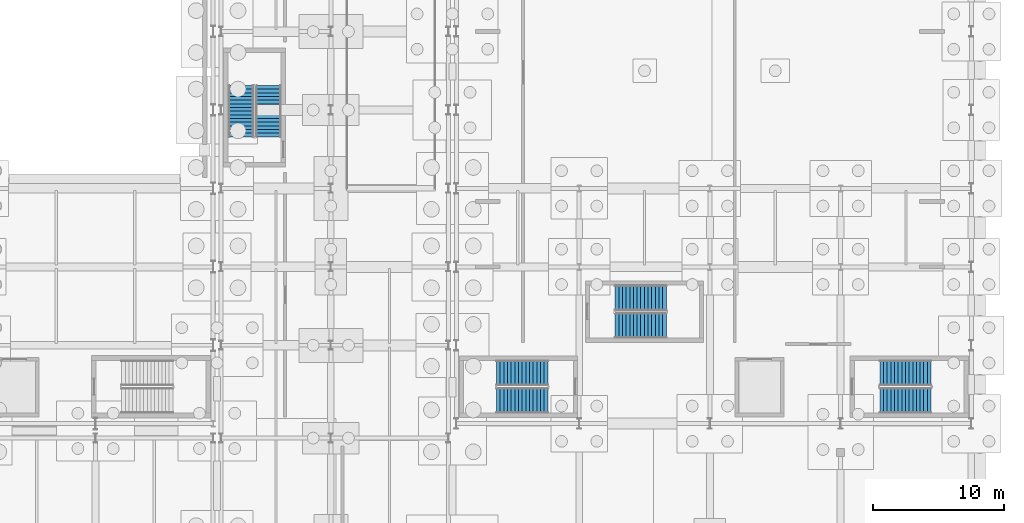
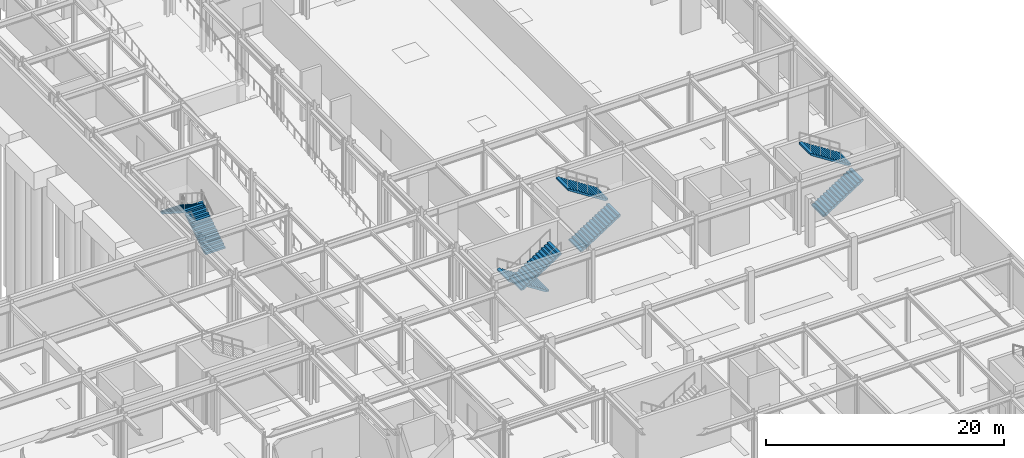
# One storey, part 51 of 65: 8 stair flights, 4 elements without a shape of their own.
"""IFC4 building model written with IfcOpenShell, lengths in metres."""

from ifc_helpers import new_model, si_unit, direction, frame, origin, place, context, subcontext, project, spatial, polyline, outline, extrude, material, type_object, element, aggregate, save


model = new_model("IFC4")

# Units and contexts
model_context = context("Model", 3, precision=1e-05, world=origin(), true_north=direction((0.0, 1.0)))
body_context = subcontext(model_context, "Body", "Model", "MODEL_VIEW")
ifc_project = project(units=[si_unit("LENGTHUNIT", "METRE"), si_unit("AREAUNIT", "SQUARE_METRE"), si_unit("VOLUMEUNIT", "CUBIC_METRE"), si_unit("PLANEANGLEUNIT", "RADIAN"), si_unit("MASSUNIT", "GRAM", prefix="KILO")], contexts=[model_context])

# Site, building, storey
site_placement = place(None, origin())
site = spatial("IfcSite", under=ifc_project, at=site_placement, CompositionType="ELEMENT")
building_placement = place(site_placement, origin())
building = spatial("IfcBuilding", under=site, at=building_placement, Name="Kaldris Quays Convention Centre", CompositionType="ELEMENT")
storey_placement = place(building_placement, frame((0.0, 0.0, -5.39990234375)))
storey = spatial("IfcBuildingStorey", under=building, at=storey_placement, Name="B1", CompositionType="ELEMENT", Elevation=-5.39990234375)

# Stair, stair flights
ifc_material = material(Name="Concrete C35/45", Category="concrete")
stair_type = type_object("IfcStairType", Name="DOGLEG ESCAPE STAIR STF1", PredefinedType="TWO_STRAIGHT_RUN_STAIR", material=ifc_material)
stair_1_placement = place(storey_placement, origin())
stair_1 = element("IfcStair", 1, at=stair_1_placement, inside=storey, type_object=stair_type, Name="B1 Escape Stair ST08", PredefinedType="TWO_STRAIGHT_RUN_STAIR")
stair_flight_type = type_object("IfcStairFlightType", Name="STAIR FLIGHT SF01", PredefinedType="STRAIGHT", material=ifc_material)
stair_flight_1_placement = place(storey_placement, frame((171.60009765625, 59.875, 0.0), z_axis=(0.0, 0.0, 1.0), x_axis=(-1.0, 0.0, 0.0)))
stair_flight_1 = element("IfcStairFlight", 2, at=stair_flight_1_placement, type_object=stair_flight_type, Name="STF1 flight 1", NumberOfRisers=15, NumberOfTreads=14, PredefinedType="STRAIGHT", RiserHeight=0.18, TreadLength=0.28, context=body_context, shape_type="SweptSolid", body=[
    extrude(outline(polyline([(0.0, 0.0), (0.0, 0.179931640625), (0.280029296875, 0.179931640625), (0.280029296875, 0.360107421875), (0.56005859375, 0.360107421875), (0.56005859375, 0.5400390625), (0.840087890625, 0.5400390625), (0.840087890625, 0.719970703125), (1.1201171875, 0.719970703125), (1.1201171875, 0.89990234375), (1.39990234375, 0.89990234375), (1.39990234375, 1.080078125), (1.679931640625, 1.080078125), (1.679931640625, 1.260009765625), (1.9599609375, 1.260009765625), (1.9599609375, 1.43994140625), (2.239990234375, 1.43994140625), (2.239990234375, 1.6201171875), (2.52001953125, 1.6201171875), (2.52001953125, 1.800048828125), (2.800048828125, 1.800048828125), (2.800048828125, 1.97998046875), (3.080078125, 1.97998046875), (3.080078125, 2.159912109375), (3.360107421875, 2.159912109375), (3.360107421875, 2.340087890625), (3.639892578125, 2.340087890625), (3.639892578125, 2.52001953125), (3.919921875, 2.52001953125), (3.919921875, 2.699951171875), (3.919921875, 2.341796875), (0.277099609375, 0.0), (0.0, 0.0)])), frame((0.0, 0.97509765625, 0.0), z_axis=(0.0, -1.0, 0.0), x_axis=(1.0, 0.0, 0.0)), (0.0, 0.0, 1.0), 1.949951171875),
])
stair_flight_2_placement = place(storey_placement, frame((167.679931640625, 57.77490234375, 2.699951171875), z_axis=(0.0, 0.0, 1.0), x_axis=(1.0, 0.0, 0.0)))
stair_flight_2 = element("IfcStairFlight", 3, at=stair_flight_2_placement, type_object=stair_flight_type, Name="STF1 flight 2", NumberOfRisers=15, NumberOfTreads=14, PredefinedType="STRAIGHT", RiserHeight=0.18, TreadLength=0.28, context=body_context, shape_type="SweptSolid", body=[
    extrude(outline(polyline([(0.0, 0.0), (0.0, 0.179931640625), (0.280029296875, 0.179931640625), (0.280029296875, 0.360107421875), (0.56005859375, 0.360107421875), (0.56005859375, 0.5400390625), (0.840087890625, 0.5400390625), (0.840087890625, 0.719970703125), (1.1201171875, 0.719970703125), (1.1201171875, 0.89990234375), (1.39990234375, 0.89990234375), (1.39990234375, 1.080078125), (1.679931640625, 1.080078125), (1.679931640625, 1.260009765625), (1.9599609375, 1.260009765625), (1.9599609375, 1.43994140625), (2.239990234375, 1.43994140625), (2.239990234375, 1.6201171875), (2.52001953125, 1.6201171875), (2.52001953125, 1.800048828125), (2.800048828125, 1.800048828125), (2.800048828125, 1.97998046875), (3.080078125, 1.97998046875), (3.080078125, 2.159912109375), (3.360107421875, 2.159912109375), (3.360107421875, 2.340087890625), (3.639892578125, 2.340087890625), (3.639892578125, 2.52001953125), (3.919921875, 2.52001953125), (3.919921875, 2.699951171875), (3.919921875, 2.341796875), (0.277099609375, 0.0), (0.0, 0.0)])), frame((0.0, 0.97509765625, 0.0), z_axis=(0.0, -1.0, 0.0), x_axis=(1.0, 0.0, 0.0)), (0.0, 0.0, 1.0), 1.949951171875),
])
aggregate(stair_1, [stair_flight_1, stair_flight_2])

stair_2_placement = place(storey_placement, origin())
stair_2 = element("IfcStair", 4, at=stair_2_placement, inside=storey, type_object=stair_type, Name="B1 Escape Stair ST09", PredefinedType="TWO_STRAIGHT_RUN_STAIR")
stair_flight_3_placement = place(storey_placement, frame((197.0, 57.77490234375, 0.0), z_axis=(0.0, 0.0, 1.0), x_axis=(1.0, 0.0, 0.0)))
stair_flight_3 = element("IfcStairFlight", 5, at=stair_flight_3_placement, type_object=stair_flight_type, Name="STF1 flight 1", NumberOfRisers=15, NumberOfTreads=14, PredefinedType="STRAIGHT", RiserHeight=0.18, TreadLength=0.28, context=body_context, shape_type="SweptSolid", body=[
    extrude(outline(polyline([(0.0, 0.0), (0.0, 0.179931640625), (0.280029296875, 0.179931640625), (0.280029296875, 0.360107421875), (0.56005859375, 0.360107421875), (0.56005859375, 0.5400390625), (0.840087890625, 0.5400390625), (0.840087890625, 0.719970703125), (1.1201171875, 0.719970703125), (1.1201171875, 0.89990234375), (1.39990234375, 0.89990234375), (1.39990234375, 1.080078125), (1.679931640625, 1.080078125), (1.679931640625, 1.260009765625), (1.9599609375, 1.260009765625), (1.9599609375, 1.43994140625), (2.239990234375, 1.43994140625), (2.239990234375, 1.6201171875), (2.52001953125, 1.6201171875), (2.52001953125, 1.800048828125), (2.800048828125, 1.800048828125), (2.800048828125, 1.97998046875), (3.080078125, 1.97998046875), (3.080078125, 2.159912109375), (3.360107421875, 2.159912109375), (3.360107421875, 2.340087890625), (3.639892578125, 2.340087890625), (3.639892578125, 2.52001953125), (3.919921875, 2.52001953125), (3.919921875, 2.699951171875), (3.919921875, 2.341796875), (0.277099609375, 0.0), (0.0, 0.0)])), frame((0.0, 0.97509765625, 0.0), z_axis=(0.0, -1.0, 0.0), x_axis=(1.0, 0.0, 0.0)), (0.0, 0.0, 1.0), 1.949951171875),
])
stair_flight_4_placement = place(storey_placement, frame((200.919921875, 59.875, 2.699951171875), z_axis=(0.0, 0.0, 1.0), x_axis=(-1.0, 0.0, 0.0)))
stair_flight_4 = element("IfcStairFlight", 6, at=stair_flight_4_placement, type_object=stair_flight_type, Name="STF1 flight 2", NumberOfRisers=15, NumberOfTreads=14, PredefinedType="STRAIGHT", RiserHeight=0.18, TreadLength=0.28, context=body_context, shape_type="SweptSolid", body=[
    extrude(outline(polyline([(0.0, 0.0), (0.0, 0.179931640625), (0.280029296875, 0.179931640625), (0.280029296875, 0.360107421875), (0.56005859375, 0.360107421875), (0.56005859375, 0.5400390625), (0.840087890625, 0.5400390625), (0.840087890625, 0.719970703125), (1.1201171875, 0.719970703125), (1.1201171875, 0.89990234375), (1.39990234375, 0.89990234375), (1.39990234375, 1.080078125), (1.679931640625, 1.080078125), (1.679931640625, 1.260009765625), (1.9599609375, 1.260009765625), (1.9599609375, 1.43994140625), (2.239990234375, 1.43994140625), (2.239990234375, 1.6201171875), (2.52001953125, 1.6201171875), (2.52001953125, 1.800048828125), (2.800048828125, 1.800048828125), (2.800048828125, 1.97998046875), (3.080078125, 1.97998046875), (3.080078125, 2.159912109375), (3.360107421875, 2.159912109375), (3.360107421875, 2.340087890625), (3.639892578125, 2.340087890625), (3.639892578125, 2.52001953125), (3.919921875, 2.52001953125), (3.919921875, 2.699951171875), (3.919921875, 2.341796875), (0.277099609375, 0.0), (0.0, 0.0)])), frame((0.0, 0.97509765625, 0.0), z_axis=(0.0, -1.0, 0.0), x_axis=(1.0, 0.0, 0.0)), (0.0, 0.0, 1.0), 1.949951171875),
])
aggregate(stair_2, [stair_flight_3, stair_flight_4])

stair_3_placement = place(storey_placement, origin())
stair_3 = element("IfcStair", 7, at=stair_3_placement, inside=storey, type_object=stair_type, Name="B1 Escape Stair ST10", PredefinedType="TWO_STRAIGHT_RUN_STAIR")
stair_flight_5_placement = place(storey_placement, frame((176.75, 63.52490234375, 0.0), z_axis=(0.0, 0.0, 1.0), x_axis=(1.0, 0.0, 0.0)))
stair_flight_5 = element("IfcStairFlight", 8, at=stair_flight_5_placement, type_object=stair_flight_type, Name="STF1 flight 1", NumberOfRisers=15, NumberOfTreads=14, PredefinedType="STRAIGHT", RiserHeight=0.18, TreadLength=0.28, context=body_context, shape_type="SweptSolid", body=[
    extrude(outline(polyline([(0.0, 0.0), (0.0, 0.179931640625), (0.280029296875, 0.179931640625), (0.280029296875, 0.360107421875), (0.56005859375, 0.360107421875), (0.56005859375, 0.5400390625), (0.840087890625, 0.5400390625), (0.840087890625, 0.719970703125), (1.1201171875, 0.719970703125), (1.1201171875, 0.89990234375), (1.39990234375, 0.89990234375), (1.39990234375, 1.080078125), (1.679931640625, 1.080078125), (1.679931640625, 1.260009765625), (1.9599609375, 1.260009765625), (1.9599609375, 1.43994140625), (2.239990234375, 1.43994140625), (2.239990234375, 1.6201171875), (2.52001953125, 1.6201171875), (2.52001953125, 1.800048828125), (2.800048828125, 1.800048828125), (2.800048828125, 1.97998046875), (3.080078125, 1.97998046875), (3.080078125, 2.159912109375), (3.360107421875, 2.159912109375), (3.360107421875, 2.340087890625), (3.639892578125, 2.340087890625), (3.639892578125, 2.52001953125), (3.919921875, 2.52001953125), (3.919921875, 2.699951171875), (3.919921875, 2.341796875), (0.277099609375, 0.0), (0.0, 0.0)])), frame((0.0, 0.97509765625, 0.0), z_axis=(0.0, -1.0, 0.0), x_axis=(1.0, 0.0, 0.0)), (0.0, 0.0, 1.0), 1.949951171875),
])
stair_flight_6_placement = place(storey_placement, frame((180.669921875, 65.625, 2.699951171875), z_axis=(0.0, 0.0, 1.0), x_axis=(-1.0, 0.0, 0.0)))
stair_flight_6 = element("IfcStairFlight", 9, at=stair_flight_6_placement, type_object=stair_flight_type, Name="STF1 flight 2", NumberOfRisers=15, NumberOfTreads=14, PredefinedType="STRAIGHT", RiserHeight=0.18, TreadLength=0.28, context=body_context, shape_type="SweptSolid", body=[
    extrude(outline(polyline([(0.0, 0.0), (0.0, 0.179931640625), (0.280029296875, 0.179931640625), (0.280029296875, 0.360107421875), (0.56005859375, 0.360107421875), (0.56005859375, 0.5400390625), (0.840087890625, 0.5400390625), (0.840087890625, 0.719970703125), (1.1201171875, 0.719970703125), (1.1201171875, 0.89990234375), (1.39990234375, 0.89990234375), (1.39990234375, 1.080078125), (1.679931640625, 1.080078125), (1.679931640625, 1.260009765625), (1.9599609375, 1.260009765625), (1.9599609375, 1.43994140625), (2.239990234375, 1.43994140625), (2.239990234375, 1.6201171875), (2.52001953125, 1.6201171875), (2.52001953125, 1.800048828125), (2.800048828125, 1.800048828125), (2.800048828125, 1.97998046875), (3.080078125, 1.97998046875), (3.080078125, 2.159912109375), (3.360107421875, 2.159912109375), (3.360107421875, 2.340087890625), (3.639892578125, 2.340087890625), (3.639892578125, 2.52001953125), (3.919921875, 2.52001953125), (3.919921875, 2.699951171875), (3.919921875, 2.341796875), (0.277099609375, 0.0), (0.0, 0.0)])), frame((0.0, 0.97509765625, 0.0), z_axis=(0.0, -1.0, 0.0), x_axis=(1.0, 0.0, 0.0)), (0.0, 0.0, 1.0), 1.949951171875),
])
aggregate(stair_3, [stair_flight_5, stair_flight_6])

stair_4_placement = place(storey_placement, origin())
stair_4 = element("IfcStair", 10, at=stair_4_placement, inside=storey, type_object=stair_type, Name="B1 Escape Stair ST14", PredefinedType="TWO_STRAIGHT_RUN_STAIR")
stair_flight_7_placement = place(storey_placement, frame((150.22509765625, 77.949951171875, 0.0), z_axis=(0.0, 0.0, 1.0), x_axis=(0.0, 1.0, 0.0)))
stair_flight_7 = element("IfcStairFlight", 11, at=stair_flight_7_placement, type_object=stair_flight_type, Name="STF1 flight 1", NumberOfRisers=15, NumberOfTreads=14, PredefinedType="STRAIGHT", RiserHeight=0.18, TreadLength=0.28, context=body_context, shape_type="SweptSolid", body=[
    extrude(outline(polyline([(0.0, 0.0), (0.0, 0.179931640625), (0.280029296875, 0.179931640625), (0.280029296875, 0.360107421875), (0.56005859375, 0.360107421875), (0.56005859375, 0.5400390625), (0.840087890625, 0.5400390625), (0.840087890625, 0.719970703125), (1.1201171875, 0.719970703125), (1.1201171875, 0.89990234375), (1.39990234375, 0.89990234375), (1.39990234375, 1.080078125), (1.679931640625, 1.080078125), (1.679931640625, 1.260009765625), (1.9599609375, 1.260009765625), (1.9599609375, 1.43994140625), (2.239990234375, 1.43994140625), (2.239990234375, 1.6201171875), (2.52001953125, 1.6201171875), (2.52001953125, 1.800048828125), (2.800048828125, 1.800048828125), (2.800048828125, 1.97998046875), (3.080078125, 1.97998046875), (3.080078125, 2.159912109375), (3.360107421875, 2.159912109375), (3.360107421875, 2.340087890625), (3.639892578125, 2.340087890625), (3.639892578125, 2.52001953125), (3.919921875, 2.52001953125), (3.919921875, 2.699951171875), (3.919921875, 2.341796875), (0.277099609375, 0.0), (0.0, 0.0)])), frame((0.0, 0.97509765625, 0.0), z_axis=(0.0, -1.0, 0.0), x_axis=(1.0, 0.0, 0.0)), (0.0, 0.0, 1.0), 1.949951171875),
])
stair_flight_8_placement = place(storey_placement, frame((148.125, 81.8701171875, 2.699951171875), z_axis=(0.0, 0.0, 1.0), x_axis=(0.0, -1.0, 0.0)))
stair_flight_8 = element("IfcStairFlight", 12, at=stair_flight_8_placement, type_object=stair_flight_type, Name="STF1 flight 2", NumberOfRisers=15, NumberOfTreads=14, PredefinedType="STRAIGHT", RiserHeight=0.18, TreadLength=0.28, context=body_context, shape_type="SweptSolid", body=[
    extrude(outline(polyline([(0.0, 0.0), (0.0, 0.179931640625), (0.280029296875, 0.179931640625), (0.280029296875, 0.360107421875), (0.56005859375, 0.360107421875), (0.56005859375, 0.5400390625), (0.840087890625, 0.5400390625), (0.840087890625, 0.719970703125), (1.1201171875, 0.719970703125), (1.1201171875, 0.89990234375), (1.39990234375, 0.89990234375), (1.39990234375, 1.080078125), (1.679931640625, 1.080078125), (1.679931640625, 1.260009765625), (1.9599609375, 1.260009765625), (1.9599609375, 1.43994140625), (2.239990234375, 1.43994140625), (2.239990234375, 1.6201171875), (2.52001953125, 1.6201171875), (2.52001953125, 1.800048828125), (2.800048828125, 1.800048828125), (2.800048828125, 1.97998046875), (3.080078125, 1.97998046875), (3.080078125, 2.159912109375), (3.360107421875, 2.159912109375), (3.360107421875, 2.340087890625), (3.639892578125, 2.340087890625), (3.639892578125, 2.52001953125), (3.919921875, 2.52001953125), (3.919921875, 2.699951171875), (3.919921875, 2.341796875), (0.277099609375, 0.0), (0.0, 0.0)])), frame((0.0, 0.97509765625, 0.0), z_axis=(0.0, -1.0, 0.0), x_axis=(1.0, 0.0, 0.0)), (0.0, 0.0, 1.0), 1.949951171875),
])
aggregate(stair_4, [stair_flight_7, stair_flight_8])

save(model, "model.ifc")
